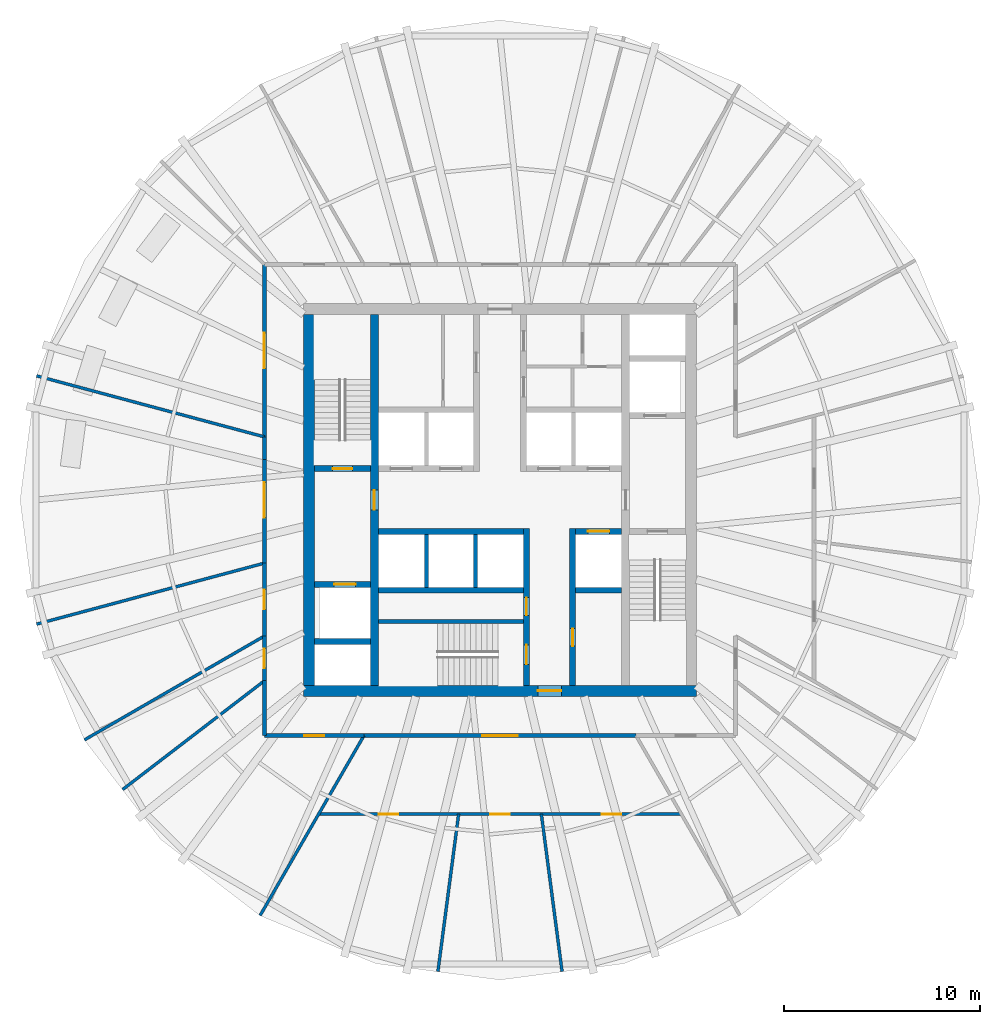
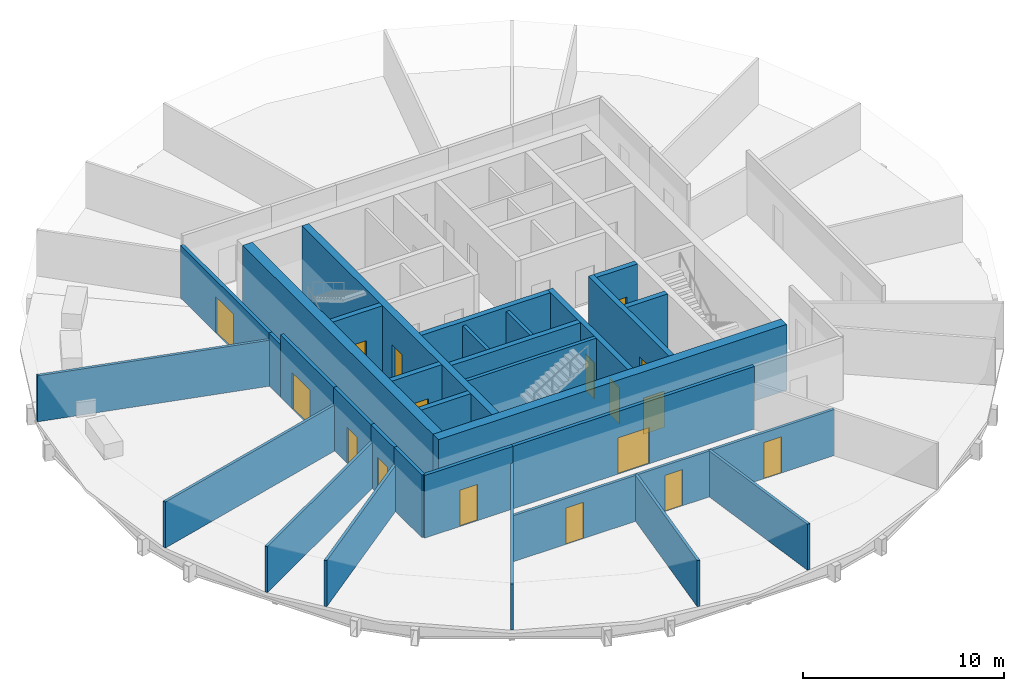
# One storey, part 3 of 7: 31 walls, 17 doors, 17 openings.
"""IFC4 building model written with IfcOpenShell, lengths in metres."""

import ifcopenshell
import ifcopenshell.guid

model = None  # the IFC model being written
_history = None  # IfcOwnerHistory: only IFC2X3 demands one
_inside = {}  # id of a spatial element -> (the spatial element, [elements in it])
_under = {}  # id of a project, library or spatial element -> (it, [spatial elements below it])
_declared = {}  # id of a project -> (the project, [libraries it declares])
_typed = {}  # id of a type object -> (the type object, [elements of that type])
_made_of = {}  # id of a material, layer set ... -> (it, [elements and type objects made of it])


def new_model(schema):
    """Start an empty IFC model of exactly this schema.

    Asked for "IFC4X3", IfcOpenShell would pick the latest addendum, in which some entities
    have other attributes; the version numbers below select the first issue.
    IFC2X3 requires an IfcOwnerHistory on every rooted entity: one is made here for all.
    """
    global model, _history
    if schema == "IFC4X3":
        model = ifcopenshell.file(schema_version=(4, 3, 0, 0))
    else:
        model = ifcopenshell.file(schema=schema)
    _inside.clear()
    _under.clear()
    _declared.clear()
    _typed.clear()
    _made_of.clear()
    _history = None
    if model.schema == "IFC2X3":
        org = make("IfcOrganization", Name="unknown")
        user = make(
            "IfcPersonAndOrganization",
            ThePerson=make("IfcPerson", FamilyName="unknown"),
            TheOrganization=org,
        )
        app = make(
            "IfcApplication",
            ApplicationDeveloper=org,
            Version="unknown",
            ApplicationFullName="unknown",
            ApplicationIdentifier="unknown",
        )
        _history = make(
            "IfcOwnerHistory",
            OwningUser=user,
            OwningApplication=app,
            ChangeAction="ADDED",
            CreationDate=0,
        )
    return model


def make(cls, **values):
    """One entity of the class cls with the attributes given. An attribute that is None is left unset."""
    return model.create_entity(
        cls, **{name: value for name, value in values.items() if value is not None}
    )


def rooted(cls, **values):
    """An entity with a GlobalId (a new one), such as an element, a storey or a relation."""
    return make(cls, GlobalId=ifcopenshell.guid.new(), OwnerHistory=_history, **values)


def si_unit(unit_type, name, prefix=None):
    """IfcSIUnit, for example si_unit("LENGTHUNIT", "METRE", prefix="MILLI")."""
    return make("IfcSIUnit", UnitType=unit_type, Prefix=prefix, Name=name)


def assignment(units):
    """IfcUnitAssignment: the units of a project."""
    return None if units is None else make("IfcUnitAssignment", Units=units)


def point(xyz):
    """IfcCartesianPoint."""
    return None if xyz is None else make("IfcCartesianPoint", Coordinates=xyz)


def direction(xyz):
    """IfcDirection."""
    return None if xyz is None else make("IfcDirection", DirectionRatios=xyz)


def frame(location, z_axis=None, x_axis=None):
    """IfcAxis2Placement3D, a coordinate frame: its origin and axes. An axis left out is left unset."""
    return make(
        "IfcAxis2Placement3D",
        Location=point(location),
        Axis=direction(z_axis),
        RefDirection=direction(x_axis),
    )


def frame_2d(location, x_axis=None):
    """IfcAxis2Placement2D, a coordinate frame in the plane: its origin and x axis."""
    return make(
        "IfcAxis2Placement2D", Location=point(location), RefDirection=direction(x_axis)
    )


def origin():
    """The frame at (0, 0, 0) with its axes left unset."""
    return frame((0.0, 0.0, 0.0))


def place(relative_to, where):
    """IfcLocalPlacement: puts the frame where relative to a parent placement (None: the world)."""
    return make(
        "IfcLocalPlacement", PlacementRelTo=relative_to, RelativePlacement=where
    )


def context(
    kind, dimensions, precision=None, world=None, true_north=None, identifier=None
):
    """IfcGeometricRepresentationContext, for example the 3D "Model" context."""
    return make(
        "IfcGeometricRepresentationContext",
        ContextIdentifier=identifier,
        ContextType=kind,
        CoordinateSpaceDimension=dimensions,
        Precision=precision,
        WorldCoordinateSystem=world,
        TrueNorth=true_north,
    )


def subcontext(parent, identifier, kind, view, scale=None):
    """IfcGeometricRepresentationSubContext, for example "Body" below "Model"."""
    return make(
        "IfcGeometricRepresentationSubContext",
        ContextIdentifier=identifier,
        ContextType=kind,
        ParentContext=parent,
        TargetScale=scale,
        TargetView=view,
    )


def project(units=None, contexts=None):
    """IfcProject with its units and contexts."""
    return rooted(
        "IfcProject",
        Name="project",
        RepresentationContexts=contexts,
        UnitsInContext=assignment(units),
    )


def spatial(cls, under=None, at=None, **own):
    """A site, building, storey or space (cls), placed at a placement, below another one or the project."""
    s = rooted(cls, ObjectPlacement=at, **own)
    if under is not None:
        _under.setdefault(under.id(), (under, []))[1].append(s)
    return s


def profile(cls, at=None, kind="AREA", **sizes):
    """A parametric profile (cls). Its sizes go by their IFC names, for example OverallWidth=200.0."""
    return make(cls, ProfileType=kind, Position=at, **sizes)


def rectangle(**sizes):
    """IfcRectangleProfileDef."""
    return profile("IfcRectangleProfileDef", **sizes)


def extrude(swept, where, along, depth):
    """IfcExtrudedAreaSolid: the profile swept, set in the frame where, extruded along a direction by depth."""
    return make(
        "IfcExtrudedAreaSolid",
        SweptArea=swept,
        Position=where,
        ExtrudedDirection=direction(along),
        Depth=depth,
    )


def shape(context_of_items, identifier, shape_type, items):
    """IfcShapeRepresentation: the items that make up one representation, for example the "Body"."""
    return make(
        "IfcShapeRepresentation",
        ContextOfItems=context_of_items,
        RepresentationIdentifier=identifier,
        RepresentationType=shape_type,
        Items=items,
    )


def material(Name=None, Category=None):
    """IfcMaterial."""
    return make("IfcMaterial", Name=Name, Category=Category)


def layer(
    of_material, thickness, ventilated=None, Name=None, Category=None, Priority=None
):
    """IfcMaterialLayer: one layer of a wall or slab, of a material (None: an air gap)."""
    return make(
        "IfcMaterialLayer",
        Material=of_material,
        LayerThickness=thickness,
        IsVentilated=ventilated,
        Name=Name,
        Category=Category,
        Priority=Priority,
    )


def layer_set(layers, Name=None):
    """IfcMaterialLayerSet."""
    return make("IfcMaterialLayerSet", MaterialLayers=layers, LayerSetName=Name)


def made_of(thing, what):
    """Note that an element or type object is made of a material, layer set ...; save() writes the relation."""
    if what is not None:
        _made_of.setdefault(what.id(), (what, []))[1].append(thing)
    return thing


def type_object(cls, material=None, **own):
    """A type object (cls), such as IfcWallType, which elements share."""
    return made_of(rooted(cls, **own), material)


def element(
    cls,
    number,
    at=None,
    inside=None,
    cuts=None,
    type_object=None,
    material=None,
    context=None,
    identifier="Body",
    shape_type=None,
    held_by="IfcProductDefinitionShape",
    body=None,
    shapes=None,
    **own,
):
    """One element of the class cls, such as IfcWall. Its Tag is "e" and its number.

    at: its placement. inside: the storey or other place that contains it. cuts: it is an
    opening in that element (IfcRelVoidsElement). A single representation is given by context,
    identifier, shape_type and body (its items); several are given by shapes. held_by: the class
    of the entity that holds the representations. save() writes the other relations.
    """
    e = rooted(cls, Tag="e%d" % number, ObjectPlacement=at, **own)
    if body is not None:
        shapes = [shape(context, identifier, shape_type, body)]
    if shapes is not None:
        e.Representation = make(held_by, Representations=shapes)
    if inside is not None:
        _inside.setdefault(inside.id(), (inside, []))[1].append(e)
    if cuts is not None:
        rooted(
            "IfcRelVoidsElement", RelatingBuildingElement=cuts, RelatedOpeningElement=e
        )
    if type_object is not None:
        _typed.setdefault(type_object.id(), (type_object, []))[1].append(e)
    return made_of(e, material)


def fill(opening, filler):
    """IfcRelFillsElement: the door or window that sits in an opening."""
    return rooted(
        "IfcRelFillsElement",
        RelatingOpeningElement=opening,
        RelatedBuildingElement=filler,
    )


def aggregate(whole, parts):
    """IfcRelAggregates: a whole, such as a stair, and the parts it consists of."""
    return rooted("IfcRelAggregates", RelatingObject=whole, RelatedObjects=parts)


def save(model, path):
    """Write the relations noted so far, then the file.

    IfcRelAggregates (storeys below a building ...), IfcRelContainedInSpatialStructure (elements
    in a storey), IfcRelDefinesByType, IfcRelAssociatesMaterial and IfcRelDeclares: one each for
    every whole, place, type object, material and project.
    """
    for whole, parts in _under.values():
        aggregate(whole, parts)
    for where, things in _inside.values():
        rooted(
            "IfcRelContainedInSpatialStructure",
            RelatedElements=things,
            RelatingStructure=where,
        )
    for kind, things in _typed.values():
        rooted("IfcRelDefinesByType", RelatedObjects=things, RelatingType=kind)
    for what, things in _made_of.values():
        rooted("IfcRelAssociatesMaterial", RelatedObjects=things, RelatingMaterial=what)
    for by, libraries in _declared.values():
        rooted("IfcRelDeclares", RelatingContext=by, RelatedDefinitions=libraries)
    model.write(path)


model = new_model("IFC4")

# Units and contexts
model_context = context("Model", 3, precision=1e-05, world=origin(), true_north=direction((0.0, 1.0)))
body_context = subcontext(model_context, "Body", "Model", "MODEL_VIEW")
ifc_project = project(units=[si_unit("LENGTHUNIT", "METRE"), si_unit("AREAUNIT", "SQUARE_METRE"), si_unit("VOLUMEUNIT", "CUBIC_METRE"), si_unit("PLANEANGLEUNIT", "RADIAN"), si_unit("MASSUNIT", "GRAM", prefix="KILO")], contexts=[model_context])

# Site, building, storey
site_placement = place(None, origin())
site = spatial("IfcSite", under=ifc_project, at=site_placement, CompositionType="ELEMENT")
building_placement = place(site_placement, origin())
building = spatial("IfcBuilding", under=site, at=building_placement, Name="Golbaran Civic Tower", CompositionType="ELEMENT")
storey_placement = place(building_placement, frame((0.0, 0.0, 130.0)))
storey = spatial("IfcBuildingStorey", under=building, at=storey_placement, Name="L31", CompositionType="ELEMENT", Elevation=130.0)

# Wall, opening, door
ifc_material_1 = material(Name="Concrete C50/60", Category="concrete")
ifc_layer_1 = layer(ifc_material_1, 0.39990234375, Name="Concrete C50/60")
ifc_layer_set_1 = layer_set([ifc_layer_1], Name="Concrete C50/60")
wall_type_1 = type_object("IfcWallType", Name="CORE WALL CONCRETE 400", PredefinedType="SOLIDWALL", material=ifc_layer_set_1)
wall_1_placement = place(storey_placement, frame((-6.39990234375, -9.449951171875, 0.0), z_axis=(0.0, 0.0, 1.0), x_axis=(0.0, 1.0, 0.0)))
wall_1 = element("IfcWall", 1, at=wall_1_placement, inside=storey, type_object=wall_type_1, Name="Core wall IW L31", PredefinedType="SOLIDWALL", context=body_context, shape_type="SweptSolid", body=[
    extrude(rectangle(XDim=18.89990234375, YDim=0.39990234375, at=frame_2d((9.449951171875, 0.0))), origin(), (0.0, 0.0, 1.0), 4.0),
])
opening_1_placement = place(wall_1_placement, frame((8.949951171875, 0.0, 0.0)))
opening_1 = element("IfcOpeningElement", 2, at=opening_1_placement, cuts=wall_1, Name="Opening L31.FL1", PredefinedType="OPENING", context=body_context, shape_type="SweptSolid", body=[
    extrude(rectangle(XDim=1.0, YDim=2.199951171875, at=frame_2d((0.5, 1.10009765625))), frame((0.0, 0.2099609375, 0.0), z_axis=(0.0, -1.0, 0.0), x_axis=(1.0, 0.0, 0.0)), (0.0, 0.0, 1.0), 0.419921875),
])
ifc_material_2 = material(Name="Timber door set in steel frame", Category="steel")
door_type_1 = type_object("IfcDoorType", Name="STAIR DOOR 1000x2200", OperationType="SINGLE_SWING_LEFT", PredefinedType="DOOR", material=ifc_material_2)
door_1_placement = place(opening_1_placement, origin())
door_1 = element("IfcDoor", 3, at=door_1_placement, inside=storey, type_object=door_type_1, Name="Fire-fighting lobby FL1 door", OperationType="SINGLE_SWING_LEFT", OverallHeight=2.199951171875, OverallWidth=1.0, PredefinedType="DOOR", context=body_context, shape_type="SweptSolid", body=[
    extrude(rectangle(XDim=1.0, YDim=2.199951171875, at=frame_2d((0.5, 1.10009765625))), frame((0.0, 0.02490234375, 0.0), z_axis=(0.0, -1.0, 0.0), x_axis=(1.0, 0.0, 0.0)), (0.0, 0.0, 1.0), 0.050048828125),
])
fill(opening_1, door_1)

ifc_layer_2 = layer(ifc_material_1, 0.550048828125, Name="Concrete C50/60")
ifc_layer_set_2 = layer_set([ifc_layer_2], Name="Concrete C50/60")
wall_type_2 = type_object("IfcWallType", Name="CORE WALL CONCRETE 550", PredefinedType="SOLIDWALL", material=ifc_layer_set_2)
wall_2_placement = place(storey_placement, frame((10.0, -9.72509765625, 0.0), z_axis=(0.0, 0.0, 1.0), x_axis=(-1.0, 0.0, 0.0)))
wall_2 = element("IfcWall", 4, at=wall_2_placement, inside=storey, type_object=wall_type_2, Name="Core wall CS L31", PredefinedType="SOLIDWALL", context=body_context, shape_type="SweptSolid", body=[
    extrude(rectangle(XDim=20.0, YDim=0.550048828125, at=frame_2d((10.0, 0.0))), origin(), (0.0, 0.0, 1.0), 4.0),
])
opening_2_placement = place(wall_2_placement, frame((6.875, 0.0, 0.0)))
opening_2 = element("IfcOpeningElement", 5, at=opening_2_placement, cuts=wall_2, Name="Opening L31.CS", PredefinedType="OPENING", context=body_context, shape_type="SweptSolid", body=[
    extrude(rectangle(XDim=1.199951171875, YDim=2.199951171875, at=frame_2d((0.60009765625, 1.10009765625))), frame((0.0, 0.284912109375, 0.0), z_axis=(0.0, -1.0, 0.0), x_axis=(1.0, 0.0, 0.0)), (0.0, 0.0, 1.0), 0.570068359375),
])
door_type_2 = type_object("IfcDoorType", Name="CORE DOOR 1200x2200", OperationType="DOUBLE_DOOR_SINGLE_SWING", PredefinedType="DOOR", material=ifc_material_2)
door_2_placement = place(opening_2_placement, origin())
door_2 = element("IfcDoor", 6, at=door_2_placement, inside=storey, type_object=door_type_2, Name="Core door south", OperationType="DOUBLE_DOOR_SINGLE_SWING", OverallHeight=2.199951171875, OverallWidth=1.199951171875, PredefinedType="DOOR", context=body_context, shape_type="SweptSolid", body=[
    extrude(rectangle(XDim=1.199951171875, YDim=2.199951171875, at=frame_2d((0.60009765625, 1.10009765625))), frame((0.0, 0.02490234375, 0.0), z_axis=(0.0, -1.0, 0.0), x_axis=(1.0, 0.0, 0.0)), (0.0, 0.0, 1.0), 0.050048828125),
])
fill(opening_2, door_2)

# Wall
wall_3_placement = place(storey_placement, frame((-9.72509765625, 9.449951171875, 0.0), z_axis=(0.0, 0.0, 1.0), x_axis=(0.0, -1.0, 0.0)))
element("IfcWall", 7, at=wall_3_placement, inside=storey, type_object=wall_type_2, Name="Core wall CW L31", PredefinedType="SOLIDWALL", context=body_context, shape_type="SweptSolid", body=[
    extrude(rectangle(XDim=18.89990234375, YDim=0.550048828125, at=frame_2d((9.449951171875, 0.0))), origin(), (0.0, 0.0, 1.0), 4.0),
])

# Wall, opening, door
ifc_material_3 = material(Name="Gypsum board on steel studs, fire-rated", Category="steel")
ifc_layer_3 = layer(ifc_material_3, 0.199951171875, Name="Gypsum board on steel studs, fire-rated")
ifc_layer_set_3 = layer_set([ifc_layer_3], Name="Gypsum board on steel studs, fire-rated")
wall_type_3 = type_object("IfcWallType", Name="CORRIDOR WALL 200", PredefinedType="PARTITIONING", material=ifc_layer_set_3)
wall_4_placement = place(storey_placement, frame((-12.0, 12.0, 0.0), z_axis=(0.0, 0.0, 1.0), x_axis=(0.0, -1.0, 0.0)))
wall_4 = element("IfcWall", 8, at=wall_4_placement, inside=storey, type_object=wall_type_3, Name="Corridor wall L31", PredefinedType="PARTITIONING", context=body_context, shape_type="SweptSolid", body=[
    extrude(rectangle(XDim=8.78466796875, YDim=0.199951171875, at=frame_2d((4.392333984375, 0.0))), origin(), (0.0, 0.0, 1.0), 3.199951171875),
])
opening_3_placement = place(wall_4_placement, frame((3.4921875, 0.0, 0.0)))
opening_3 = element("IfcOpeningElement", 9, at=opening_3_placement, cuts=wall_4, Name="Opening L31.14", PredefinedType="OPENING", context=body_context, shape_type="SweptSolid", body=[
    extrude(rectangle(XDim=1.800048828125, YDim=2.199951171875, at=frame_2d((0.89990234375, 1.10009765625))), frame((0.0, 0.10986328125, 0.0), z_axis=(0.0, -1.0, 0.0), x_axis=(1.0, 0.0, 0.0)), (0.0, 0.0, 1.0), 0.219970703125),
])
door_type_3 = type_object("IfcDoorType", Name="OFFICE DOUBLE DOOR 1800x2200", OperationType="DOUBLE_DOOR_SINGLE_SWING", PredefinedType="DOOR", material=ifc_material_2)
door_3_placement = place(opening_3_placement, origin())
door_3 = element("IfcDoor", 10, at=door_3_placement, inside=storey, type_object=door_type_3, Name="Sky Garden door L31", OperationType="DOUBLE_DOOR_SINGLE_SWING", OverallHeight=2.199951171875, OverallWidth=1.800048828125, PredefinedType="DOOR", context=body_context, shape_type="SweptSolid", body=[
    extrude(rectangle(XDim=1.800048828125, YDim=2.199951171875, at=frame_2d((0.89990234375, 1.10009765625))), frame((0.0, 0.02490234375, 0.0), z_axis=(0.0, -1.0, 0.0), x_axis=(1.0, 0.0, 0.0)), (0.0, 0.0, 1.0), 0.050048828125),
])
fill(opening_3, door_3)

# Wall
wall_5_placement = place(storey_placement, frame((-12.0, 3.21533203125, 0.0), z_axis=(0.0, 0.0, 1.0), x_axis=(0.0, -1.0, 0.0)))
element("IfcWall", 11, at=wall_5_placement, inside=storey, type_object=wall_type_3, Name="Corridor wall L31", PredefinedType="PARTITIONING", context=body_context, shape_type="SweptSolid", body=[
    extrude(rectangle(XDim=1.145751953125, YDim=0.199951171875, at=frame_2d((0.57275390625, 0.0))), origin(), (0.0, 0.0, 1.0), 3.199951171875),
])

# Wall, opening, door
wall_6_placement = place(storey_placement, frame((-12.0, 2.069580078125, 0.0), z_axis=(0.0, 0.0, 1.0), x_axis=(0.0, -1.0, 0.0)))
wall_6 = element("IfcWall", 12, at=wall_6_placement, inside=storey, type_object=wall_type_3, Name="Corridor wall L31 (part 2)", PredefinedType="PARTITIONING", context=body_context, shape_type="SweptSolid", body=[
    extrude(rectangle(XDim=5.284912109375, YDim=0.199951171875, at=frame_2d((2.642578125, 0.0))), origin(), (0.0, 0.0, 1.0), 3.800048828125),
])
opening_4_placement = place(wall_6_placement, frame((1.169677734375, 0.0, 0.0)))
opening_4 = element("IfcOpeningElement", 13, at=opening_4_placement, cuts=wall_6, Name="Opening L31.15", PredefinedType="OPENING", context=body_context, shape_type="SweptSolid", body=[
    extrude(rectangle(XDim=1.800048828125, YDim=2.199951171875, at=frame_2d((0.89990234375, 1.10009765625))), frame((0.0, 0.10986328125, 0.0), z_axis=(0.0, -1.0, 0.0), x_axis=(1.0, 0.0, 0.0)), (0.0, 0.0, 1.0), 0.219970703125),
])
door_4_placement = place(opening_4_placement, origin())
door_4 = element("IfcDoor", 14, at=door_4_placement, inside=storey, type_object=door_type_3, Name="Open Office door L31", OperationType="DOUBLE_DOOR_SINGLE_SWING", OverallHeight=2.199951171875, OverallWidth=1.800048828125, PredefinedType="DOOR", context=body_context, shape_type="SweptSolid", body=[
    extrude(rectangle(XDim=1.800048828125, YDim=2.199951171875, at=frame_2d((0.89990234375, 1.10009765625))), frame((0.0, 0.02490234375, 0.0), z_axis=(0.0, -1.0, 0.0), x_axis=(1.0, 0.0, 0.0)), (0.0, 0.0, 1.0), 0.050048828125),
])
fill(opening_4, door_4)

wall_7_placement = place(storey_placement, frame((-12.0, -3.21533203125, 0.0), z_axis=(0.0, 0.0, 1.0), x_axis=(0.0, -1.0, 0.0)))
wall_7 = element("IfcWall", 15, at=wall_7_placement, inside=storey, type_object=wall_type_3, Name="Corridor wall L31", PredefinedType="PARTITIONING", context=body_context, shape_type="SweptSolid", body=[
    extrude(rectangle(XDim=3.712890625, YDim=0.199951171875, at=frame_2d((1.8564453125, 0.0))), origin(), (0.0, 0.0, 1.0), 3.800048828125),
])
opening_5_placement = place(wall_7_placement, frame((1.3564453125, 0.0, 0.0)))
opening_5 = element("IfcOpeningElement", 16, at=opening_5_placement, cuts=wall_7, Name="Opening L31.16", PredefinedType="OPENING", context=body_context, shape_type="SweptSolid", body=[
    extrude(rectangle(XDim=1.0, YDim=2.199951171875, at=frame_2d((0.5, 1.10009765625))), frame((0.0, 0.10986328125, 0.0), z_axis=(0.0, -1.0, 0.0), x_axis=(1.0, 0.0, 0.0)), (0.0, 0.0, 1.0), 0.219970703125),
])
door_type_4 = type_object("IfcDoorType", Name="OFFICE DOOR 1000x2200", OperationType="SINGLE_SWING_LEFT", PredefinedType="DOOR", material=ifc_material_2)
door_5_placement = place(opening_5_placement, origin())
door_5 = element("IfcDoor", 17, at=door_5_placement, inside=storey, type_object=door_type_4, Name="Office door L31", OperationType="SINGLE_SWING_RIGHT", OverallHeight=2.199951171875, OverallWidth=1.0, PredefinedType="DOOR", context=body_context, shape_type="SweptSolid", body=[
    extrude(rectangle(XDim=1.0, YDim=2.199951171875, at=frame_2d((0.5, 1.10009765625))), frame((0.0, 0.02490234375, 0.0), z_axis=(0.0, -1.0, 0.0), x_axis=(1.0, 0.0, 0.0)), (0.0, 0.0, 1.0), 0.050048828125),
])
fill(opening_5, door_5)

wall_8_placement = place(storey_placement, frame((-12.0, -6.92822265625, 0.0), z_axis=(0.0, 0.0, 1.0), x_axis=(0.0, -1.0, 0.0)))
wall_8 = element("IfcWall", 18, at=wall_8_placement, inside=storey, type_object=wall_type_3, Name="Corridor wall L31", PredefinedType="PARTITIONING", context=body_context, shape_type="SweptSolid", body=[
    extrude(rectangle(XDim=2.27978515625, YDim=0.199951171875, at=frame_2d((1.139892578125, 0.0))), origin(), (0.0, 0.0, 1.0), 3.800048828125),
])
opening_6_placement = place(wall_8_placement, frame((0.639892578125, 0.0, 0.0)))
opening_6 = element("IfcOpeningElement", 19, at=opening_6_placement, cuts=wall_8, Name="Opening L31.17", PredefinedType="OPENING", context=body_context, shape_type="SweptSolid", body=[
    extrude(rectangle(XDim=1.0, YDim=2.199951171875, at=frame_2d((0.5, 1.10009765625))), frame((0.0, 0.10986328125, 0.0), z_axis=(0.0, -1.0, 0.0), x_axis=(1.0, 0.0, 0.0)), (0.0, 0.0, 1.0), 0.219970703125),
])
door_6_placement = place(opening_6_placement, origin())
door_6 = element("IfcDoor", 20, at=door_6_placement, inside=storey, type_object=door_type_4, Name="Quiet Room door L31", OperationType="SINGLE_SWING_RIGHT", OverallHeight=2.199951171875, OverallWidth=1.0, PredefinedType="DOOR", context=body_context, shape_type="SweptSolid", body=[
    extrude(rectangle(XDim=1.0, YDim=2.199951171875, at=frame_2d((0.5, 1.10009765625))), frame((0.0, 0.02490234375, 0.0), z_axis=(0.0, -1.0, 0.0), x_axis=(1.0, 0.0, 0.0)), (0.0, 0.0, 1.0), 0.050048828125),
])
fill(opening_6, door_6)

# Wall
wall_9_placement = place(storey_placement, frame((-12.0, -9.2080078125, 0.0), z_axis=(0.0, 0.0, 1.0), x_axis=(0.0, -1.0, 0.0)))
element("IfcWall", 21, at=wall_9_placement, inside=storey, type_object=wall_type_3, Name="Corridor wall L31", PredefinedType="PARTITIONING", context=body_context, shape_type="SweptSolid", body=[
    extrude(rectangle(XDim=2.7919921875, YDim=0.199951171875, at=frame_2d((1.39599609375, 0.0))), origin(), (0.0, 0.0, 1.0), 3.800048828125),
])

# Wall, opening, door
wall_10_placement = place(storey_placement, frame((-12.0, -12.0, 0.0), z_axis=(0.0, 0.0, 1.0), x_axis=(1.0, 0.0, 0.0)))
wall_10 = element("IfcWall", 22, at=wall_10_placement, inside=storey, type_object=wall_type_3, Name="Corridor wall L31", PredefinedType="PARTITIONING", context=body_context, shape_type="SweptSolid", body=[
    extrude(rectangle(XDim=5.07177734375, YDim=0.199951171875, at=frame_2d((2.535888671875, 0.0))), origin(), (0.0, 0.0, 1.0), 3.800048828125),
])
opening_7_placement = place(wall_10_placement, frame((2.035888671875, 0.0, 0.0)))
opening_7 = element("IfcOpeningElement", 23, at=opening_7_placement, cuts=wall_10, Name="Opening L31.18", PredefinedType="OPENING", context=body_context, shape_type="SweptSolid", body=[
    extrude(rectangle(XDim=1.0, YDim=2.199951171875, at=frame_2d((0.5, 1.10009765625))), frame((0.0, 0.10986328125, 0.0), z_axis=(0.0, -1.0, 0.0), x_axis=(1.0, 0.0, 0.0)), (0.0, 0.0, 1.0), 0.219970703125),
])
door_7_placement = place(opening_7_placement, origin())
door_7 = element("IfcDoor", 24, at=door_7_placement, inside=storey, type_object=door_type_4, Name="File Room door L31", OperationType="SINGLE_SWING_LEFT", OverallHeight=2.199951171875, OverallWidth=1.0, PredefinedType="DOOR", context=body_context, shape_type="SweptSolid", body=[
    extrude(rectangle(XDim=1.0, YDim=2.199951171875, at=frame_2d((0.5, 1.10009765625))), frame((0.0, 0.02490234375, 0.0), z_axis=(0.0, -1.0, 0.0), x_axis=(1.0, 0.0, 0.0)), (0.0, 0.0, 1.0), 0.050048828125),
])
fill(opening_7, door_7)

wall_11_placement = place(storey_placement, frame((-6.92822265625, -12.0, 0.0), z_axis=(0.0, 0.0, 1.0), x_axis=(1.0, 0.0, 0.0)))
wall_11 = element("IfcWall", 25, at=wall_11_placement, inside=storey, type_object=wall_type_3, Name="Corridor wall L31", PredefinedType="PARTITIONING", context=body_context, shape_type="SweptSolid", body=[
    extrude(rectangle(XDim=13.8564453125, YDim=0.199951171875, at=frame_2d((6.92822265625, 0.0))), origin(), (0.0, 0.0, 1.0), 3.800048828125),
])
opening_8_placement = place(wall_11_placement, frame((6.0283203125, 0.0, 0.0)))
opening_8 = element("IfcOpeningElement", 26, at=opening_8_placement, cuts=wall_11, Name="Opening L31.19", PredefinedType="OPENING", context=body_context, shape_type="SweptSolid", body=[
    extrude(rectangle(XDim=1.800048828125, YDim=2.199951171875, at=frame_2d((0.89990234375, 1.10009765625))), frame((0.0, 0.10986328125, 0.0), z_axis=(0.0, -1.0, 0.0), x_axis=(1.0, 0.0, 0.0)), (0.0, 0.0, 1.0), 0.219970703125),
])
door_8_placement = place(opening_8_placement, origin())
door_8 = element("IfcDoor", 27, at=door_8_placement, inside=storey, type_object=door_type_3, Name="Secretariat door L31", OperationType="DOUBLE_DOOR_SINGLE_SWING", OverallHeight=2.199951171875, OverallWidth=1.800048828125, PredefinedType="DOOR", context=body_context, shape_type="SweptSolid", body=[
    extrude(rectangle(XDim=1.800048828125, YDim=2.199951171875, at=frame_2d((0.89990234375, 1.10009765625))), frame((0.0, 0.02490234375, 0.0), z_axis=(0.0, -1.0, 0.0), x_axis=(1.0, 0.0, 0.0)), (0.0, 0.0, 1.0), 0.050048828125),
])
fill(opening_8, door_8)

# Walls
ifc_material_4 = material(Name="Concrete block", Category="concrete")
ifc_layer_4 = layer(ifc_material_4, 0.199951171875, Name="Concrete block")
ifc_layer_set_4 = layer_set([ifc_layer_4], Name="Concrete block")
wall_type_4 = type_object("IfcWallType", Name="LIFT SEPARATOR WALL 200", PredefinedType="SOLIDWALL", material=ifc_layer_set_4)
for number, where, z_axis, x_axis, name in (
    (28, (-3.75, -1.75, 0.0), (0.0, 0.0, 1.0), (0.0, -1.0, 0.0), "Core partition SSW L31"),
    (29, (-1.25, -1.75, 0.0), (0.0, 0.0, 1.0), (0.0, -1.0, 0.0), "Core partition SSM L31"),
):
    element("IfcWall", number, at=place(storey_placement, frame(where, z_axis=z_axis, x_axis=x_axis)), inside=storey, type_object=wall_type_4, Name=name, PredefinedType="SOLIDWALL", context=body_context, shape_type="SweptSolid", body=[
        extrude(rectangle(XDim=2.699951171875, YDim=0.199951171875, at=frame_2d((1.35009765625, 0.0))), origin(), (0.0, 0.0, 1.0), 3.75),
    ])
ifc_material_5 = material(Name="Gypsum board on steel studs", Category="steel")
ifc_layer_5 = layer(ifc_material_5, 0.14990234375, Name="Gypsum board on steel studs")
ifc_layer_set_5 = layer_set([ifc_layer_5], Name="Gypsum board on steel studs")
wall_type_5 = type_object("IfcWallType", Name="OFFICE PARTITION 150", PredefinedType="PARTITIONING", material=ifc_layer_set_5)
for number, where, z_axis, x_axis, name in (
    (30, (-12.0, 3.21533203125, 0.0), (0.0, 0.0, 1.0), (-0.965923753467, 0.258826780857, 0.0), "Partition 165 L31"),
    (31, (-12.0, -3.21533203125, 0.0), (0.0, 0.0, 1.0), (-0.965923753467, -0.258826780857, 0.0), "Partition 195 L31"),
):
    element("IfcWall", number, at=place(storey_placement, frame(where, z_axis=z_axis, x_axis=x_axis)), inside=storey, type_object=wall_type_5, Name=name, PredefinedType="PARTITIONING", context=body_context, shape_type="SweptSolid", body=[
        extrude(rectangle(XDim=12.02001953125, YDim=0.14990234375, at=frame_2d((6.010009765625, 0.0))), origin(), (0.0, 0.0, 1.0), 2.7900390625),
    ])
wall_12_placement = place(storey_placement, frame((-12.0, -6.92822265625, 0.0), z_axis=(0.0, 0.0, 1.0), x_axis=(-0.866023526577, -0.500003251404, 0.0)))
element("IfcWall", 32, at=wall_12_placement, inside=storey, type_object=wall_type_5, Name="Partition 210 L31", PredefinedType="PARTITIONING", context=body_context, shape_type="SweptSolid", body=[
    extrude(rectangle(XDim=10.5869140625, YDim=0.14990234375, at=frame_2d((5.29345703125, 0.0))), origin(), (0.0, 0.0, 1.0), 2.7900390625),
])
wall_13_placement = place(storey_placement, frame((-12.0, -9.2080078125, 0.0), z_axis=(0.0, 0.0, 1.0), x_axis=(-0.793367728965, -0.608742676865, 0.0)))
element("IfcWall", 33, at=wall_13_placement, inside=storey, type_object=wall_type_5, Name="Partition 217.5 L31", PredefinedType="PARTITIONING", context=body_context, shape_type="SweptSolid", body=[
    extrude(rectangle(XDim=9.1083984375, YDim=0.14990234375, at=frame_2d((4.55419921875, 0.0))), origin(), (0.0, 0.0, 1.0), 2.7900390625),
])
wall_14_placement = place(storey_placement, frame((-6.92822265625, -12.0, 0.0), z_axis=(0.0, 0.0, 1.0), x_axis=(-0.500003251404, -0.866023526577, 0.0)))
element("IfcWall", 34, at=wall_14_placement, inside=storey, type_object=wall_type_5, Name="Partition 240 L31", PredefinedType="PARTITIONING", context=body_context, shape_type="SweptSolid", body=[
    extrude(rectangle(XDim=10.5869140625, YDim=0.14990234375, at=frame_2d((5.29345703125, 0.0))), origin(), (0.0, 0.0, 1.0), 2.7900390625),
])

# Wall, openings, doors
wall_15_placement = place(storey_placement, frame((-9.237548828125, -16.0, 0.0), z_axis=(0.0, 0.0, 1.0), x_axis=(1.0, 0.0, 0.0)))
wall_15 = element("IfcWall", 35, at=wall_15_placement, inside=storey, type_object=wall_type_5, Name="Suite partition L31", PredefinedType="PARTITIONING", context=body_context, shape_type="SweptSolid", body=[
    extrude(rectangle(XDim=18.47509765625, YDim=0.14990234375, at=frame_2d((9.237548828125, 0.0))), origin(), (0.0, 0.0, 1.0), 2.7900390625),
])
opening_9_placement = place(wall_15_placement, frame((3.065673828125, 0.0, 0.0)))
opening_9 = element("IfcOpeningElement", 36, at=opening_9_placement, cuts=wall_15, Name="Opening L31.03", PredefinedType="OPENING", context=body_context, shape_type="SweptSolid", body=[
    extrude(rectangle(XDim=1.0, YDim=2.199951171875, at=frame_2d((0.5, 1.10009765625))), frame((0.0, 0.0849609375, 0.0), z_axis=(0.0, -1.0, 0.0), x_axis=(1.0, 0.0, 0.0)), (0.0, 0.0, 1.0), 0.169921875),
])
opening_10_placement = place(wall_15_placement, frame((8.737548828125, 0.0, 0.0)))
opening_10 = element("IfcOpeningElement", 37, at=opening_10_placement, cuts=wall_15, Name="Opening L31.04", PredefinedType="OPENING", context=body_context, shape_type="SweptSolid", body=[
    extrude(rectangle(XDim=1.0, YDim=2.199951171875, at=frame_2d((0.5, 1.10009765625))), frame((0.0, 0.0849609375, 0.0), z_axis=(0.0, -1.0, 0.0), x_axis=(1.0, 0.0, 0.0)), (0.0, 0.0, 1.0), 0.169921875),
])
opening_11_placement = place(wall_15_placement, frame((14.40966796875, 0.0, 0.0)))
opening_11 = element("IfcOpeningElement", 38, at=opening_11_placement, cuts=wall_15, Name="Opening L31.05", PredefinedType="OPENING", context=body_context, shape_type="SweptSolid", body=[
    extrude(rectangle(XDim=1.0, YDim=2.199951171875, at=frame_2d((0.5, 1.10009765625))), frame((0.0, 0.0849609375, 0.0), z_axis=(0.0, -1.0, 0.0), x_axis=(1.0, 0.0, 0.0)), (0.0, 0.0, 1.0), 0.169921875),
])
door_9_placement = place(opening_9_placement, origin())
door_9 = element("IfcDoor", 39, at=door_9_placement, inside=storey, type_object=door_type_4, Name="Office door L31", OperationType="SINGLE_SWING_LEFT", OverallHeight=2.199951171875, OverallWidth=1.0, PredefinedType="DOOR", context=body_context, shape_type="SweptSolid", body=[
    extrude(rectangle(XDim=1.0, YDim=2.199951171875, at=frame_2d((0.5, 1.10009765625))), frame((0.0, 0.02490234375, 0.0), z_axis=(0.0, -1.0, 0.0), x_axis=(1.0, 0.0, 0.0)), (0.0, 0.0, 1.0), 0.050048828125),
])
fill(opening_9, door_9)
door_10_placement = place(opening_10_placement, origin())
door_10 = element("IfcDoor", 40, at=door_10_placement, inside=storey, type_object=door_type_4, Name="Director's Office door L31", OperationType="SINGLE_SWING_LEFT", OverallHeight=2.199951171875, OverallWidth=1.0, PredefinedType="DOOR", context=body_context, shape_type="SweptSolid", body=[
    extrude(rectangle(XDim=1.0, YDim=2.199951171875, at=frame_2d((0.5, 1.10009765625))), frame((0.0, 0.02490234375, 0.0), z_axis=(0.0, -1.0, 0.0), x_axis=(1.0, 0.0, 0.0)), (0.0, 0.0, 1.0), 0.050048828125),
])
fill(opening_10, door_10)
door_11_placement = place(opening_11_placement, origin())
door_11 = element("IfcDoor", 41, at=door_11_placement, inside=storey, type_object=door_type_4, Name="Office door L31", OperationType="SINGLE_SWING_RIGHT", OverallHeight=2.199951171875, OverallWidth=1.0, PredefinedType="DOOR", context=body_context, shape_type="SweptSolid", body=[
    extrude(rectangle(XDim=1.0, YDim=2.199951171875, at=frame_2d((0.5, 1.10009765625))), frame((0.0, 0.02490234375, 0.0), z_axis=(0.0, -1.0, 0.0), x_axis=(1.0, 0.0, 0.0)), (0.0, 0.0, 1.0), 0.050048828125),
])
fill(opening_11, door_11)

# Walls
for number, where, z_axis, x_axis, name in (
    (42, (-2.1064453125, -16.0, 0.0), (0.0, 0.0, 1.0), (-0.130512236494, -0.99144669858, 0.0), "Partition 262.5 L31"),
    (43, (2.1064453125, -16.0, 0.0), (0.0, 0.0, 1.0), (0.130512236494, -0.99144669858, 0.0), "Partition 277.5 L31"),
):
    element("IfcWall", number, at=place(storey_placement, frame(where, z_axis=z_axis, x_axis=x_axis)), inside=storey, type_object=wall_type_5, Name=name, PredefinedType="PARTITIONING", context=body_context, shape_type="SweptSolid", body=[
        extrude(rectangle(XDim=8.09619140625, YDim=0.14990234375, at=frame_2d((4.048095703125, 0.0))), origin(), (0.0, 0.0, 1.0), 2.7900390625),
    ])
ifc_layer_6 = layer(ifc_material_1, 0.199951171875, Name="Concrete C50/60")
ifc_layer_set_6 = layer_set([ifc_layer_6], Name="Concrete C50/60")
wall_type_6 = type_object("IfcWallType", Name="SHAFT WALL CONCRETE 200", PredefinedType="SOLIDWALL", material=ifc_layer_set_6)
wall_16_placement = place(storey_placement, frame((-6.199951171875, -6.199951171875, 0.0), z_axis=(0.0, 0.0, 1.0), x_axis=(1.0, 0.0, 0.0)))
element("IfcWall", 44, at=wall_16_placement, inside=storey, type_object=wall_type_6, Name="Core wall S3N L31", PredefinedType="SOLIDWALL", context=body_context, shape_type="SweptSolid", body=[
    extrude(rectangle(XDim=7.39990234375, YDim=0.199951171875, at=frame_2d((3.699951171875, 0.0))), origin(), (0.0, 0.0, 1.0), 4.0),
])
ifc_layer_7 = layer(ifc_material_1, 0.300048828125, Name="Concrete C50/60")
ifc_layer_set_7 = layer_set([ifc_layer_7], Name="Concrete C50/60")
wall_type_7 = type_object("IfcWallType", Name="SHAFT WALL CONCRETE 300", PredefinedType="SOLIDWALL", material=ifc_layer_set_7)
wall_17_placement = place(storey_placement, frame((-6.199951171875, -1.60009765625, 0.0), z_axis=(0.0, 0.0, 1.0), x_axis=(1.0, 0.0, 0.0)))
element("IfcWall", 45, at=wall_17_placement, inside=storey, type_object=wall_type_7, Name="Core wall FSW L31", PredefinedType="SOLIDWALL", context=body_context, shape_type="SweptSolid", body=[
    extrude(rectangle(XDim=7.39990234375, YDim=0.300048828125, at=frame_2d((3.699951171875, 0.0))), origin(), (0.0, 0.0, 1.0), 4.0),
])

# Wall, opening, door
wall_18_placement = place(storey_placement, frame((3.85009765625, -1.60009765625, 0.0), z_axis=(0.0, 0.0, 1.0), x_axis=(1.0, 0.0, 0.0)))
wall_18 = element("IfcWall", 46, at=wall_18_placement, inside=storey, type_object=wall_type_7, Name="Core wall FSE L31", PredefinedType="SOLIDWALL", context=body_context, shape_type="SweptSolid", body=[
    extrude(rectangle(XDim=2.349853515625, YDim=0.300048828125, at=frame_2d((1.1748046875, 0.0))), origin(), (0.0, 0.0, 1.0), 4.0),
])
opening_12_placement = place(wall_18_placement, frame((0.625, 0.0, 0.0)))
opening_12 = element("IfcOpeningElement", 47, at=opening_12_placement, cuts=wall_18, Name="Opening L31.LD-V1", PredefinedType="OPENING", context=body_context, shape_type="SweptSolid", body=[
    extrude(rectangle(XDim=1.10009765625, YDim=2.199951171875, at=frame_2d((0.550048828125, 1.10009765625))), frame((0.0, 0.159912109375, 0.0), z_axis=(0.0, -1.0, 0.0), x_axis=(1.0, 0.0, 0.0)), (0.0, 0.0, 1.0), 0.320068359375),
])
ifc_material_6 = material(Name="Stainless steel", Category="steel")
door_type_5 = type_object("IfcDoorType", Name="LIFT LANDING DOOR 1100x2200", OperationType="SLIDING_TO_LEFT", PredefinedType="DOOR", material=ifc_material_6)
door_12_placement = place(opening_12_placement, origin())
door_12 = element("IfcDoor", 48, at=door_12_placement, inside=storey, type_object=door_type_5, Name="Lift landing door V1", OperationType="SLIDING_TO_LEFT", OverallHeight=2.199951171875, OverallWidth=1.10009765625, PredefinedType="DOOR", context=body_context, shape_type="SweptSolid", body=[
    extrude(rectangle(XDim=1.10009765625, YDim=2.199951171875, at=frame_2d((0.550048828125, 1.10009765625))), frame((0.0, 0.02490234375, 0.0), z_axis=(0.0, -1.0, 0.0), x_axis=(1.0, 0.0, 0.0)), (0.0, 0.0, 1.0), 0.050048828125),
])
fill(opening_12, door_12)

# Walls
wall_19_placement = place(storey_placement, frame((-6.199951171875, -4.60009765625, 0.0), z_axis=(0.0, 0.0, 1.0), x_axis=(1.0, 0.0, 0.0)))
element("IfcWall", 49, at=wall_19_placement, inside=storey, type_object=wall_type_7, Name="Core wall BSW L31", PredefinedType="SOLIDWALL", context=body_context, shape_type="SweptSolid", body=[
    extrude(rectangle(XDim=7.39990234375, YDim=0.300048828125, at=frame_2d((3.699951171875, 0.0))), origin(), (0.0, 0.0, 1.0), 4.0),
])
wall_20_placement = place(storey_placement, frame((3.85009765625, -4.60009765625, 0.0), z_axis=(0.0, 0.0, 1.0), x_axis=(1.0, 0.0, 0.0)))
element("IfcWall", 50, at=wall_20_placement, inside=storey, type_object=wall_type_7, Name="Core wall BSE L31", PredefinedType="SOLIDWALL", context=body_context, shape_type="SweptSolid", body=[
    extrude(rectangle(XDim=2.349853515625, YDim=0.300048828125, at=frame_2d((1.1748046875, 0.0))), origin(), (0.0, 0.0, 1.0), 4.0),
])

# Wall, openings, doors
wall_21_placement = place(storey_placement, frame((1.35009765625, -1.449951171875, 0.0), z_axis=(0.0, 0.0, 1.0), x_axis=(0.0, -1.0, 0.0)))
wall_21 = element("IfcWall", 51, at=wall_21_placement, inside=storey, type_object=wall_type_7, Name="Core wall PSW L31", PredefinedType="SOLIDWALL", context=body_context, shape_type="SweptSolid", body=[
    extrude(rectangle(XDim=8.0, YDim=0.300048828125, at=frame_2d((4.0, 0.0))), origin(), (0.0, 0.0, 1.0), 4.0),
])
opening_13_placement = place(wall_21_placement, frame((5.925048828125, 0.0, 0.0)))
opening_13 = element("IfcOpeningElement", 52, at=opening_13_placement, cuts=wall_21, Name="Opening L31.S3", PredefinedType="OPENING", context=body_context, shape_type="SweptSolid", body=[
    extrude(rectangle(XDim=1.0, YDim=2.199951171875, at=frame_2d((0.5, 1.10009765625))), frame((0.0, 0.159912109375, 0.0), z_axis=(0.0, -1.0, 0.0), x_axis=(1.0, 0.0, 0.0)), (0.0, 0.0, 1.0), 0.320068359375),
])
opening_14_placement = place(wall_21_placement, frame((3.52490234375, 0.0, 0.0)))
opening_14 = element("IfcOpeningElement", 53, at=opening_14_placement, cuts=wall_21, Name="Opening L31.RE", PredefinedType="OPENING", context=body_context, shape_type="SweptSolid", body=[
    extrude(rectangle(XDim=0.89990234375, YDim=2.199951171875, at=frame_2d((0.449951171875, 1.10009765625))), frame((0.0, 0.159912109375, 0.0), z_axis=(0.0, -1.0, 0.0), x_axis=(1.0, 0.0, 0.0)), (0.0, 0.0, 1.0), 0.320068359375),
])
door_type_6 = type_object("IfcDoorType", Name="RISER DOOR 900x2200", OperationType="SINGLE_SWING_LEFT", PredefinedType="DOOR", material=ifc_material_2)
door_13_placement = place(opening_14_placement, origin())
door_13 = element("IfcDoor", 54, at=door_13_placement, inside=storey, type_object=door_type_6, Name="Electrical riser door", OperationType="SINGLE_SWING_LEFT", OverallHeight=2.199951171875, OverallWidth=0.89990234375, PredefinedType="DOOR", context=body_context, shape_type="SweptSolid", body=[
    extrude(rectangle(XDim=0.89990234375, YDim=2.199951171875, at=frame_2d((0.449951171875, 1.10009765625))), frame((0.0, 0.02490234375, 0.0), z_axis=(0.0, -1.0, 0.0), x_axis=(1.0, 0.0, 0.0)), (0.0, 0.0, 1.0), 0.050048828125),
])
fill(opening_14, door_13)
door_14_placement = place(opening_13_placement, origin())
door_14 = element("IfcDoor", 55, at=door_14_placement, inside=storey, type_object=door_type_1, Name="Stair S3 door", OperationType="SINGLE_SWING_RIGHT", OverallHeight=2.199951171875, OverallWidth=1.0, PredefinedType="DOOR", context=body_context, shape_type="SweptSolid", body=[
    extrude(rectangle(XDim=1.0, YDim=2.199951171875, at=frame_2d((0.5, 1.10009765625))), frame((0.0, 0.02490234375, 0.0), z_axis=(0.0, -1.0, 0.0), x_axis=(1.0, 0.0, 0.0)), (0.0, 0.0, 1.0), 0.050048828125),
])
fill(opening_13, door_14)

# Wall, opening, door
wall_22_placement = place(storey_placement, frame((3.699951171875, -1.449951171875, 0.0), z_axis=(0.0, 0.0, 1.0), x_axis=(0.0, -1.0, 0.0)))
wall_22 = element("IfcWall", 56, at=wall_22_placement, inside=storey, type_object=wall_type_7, Name="Core wall PSE L31", PredefinedType="SOLIDWALL", context=body_context, shape_type="SweptSolid", body=[
    extrude(rectangle(XDim=8.0, YDim=0.300048828125, at=frame_2d((4.0, 0.0))), origin(), (0.0, 0.0, 1.0), 4.0),
])
opening_15_placement = place(wall_22_placement, frame((5.10009765625, 0.0, 0.0)))
opening_15 = element("IfcOpeningElement", 57, at=opening_15_placement, cuts=wall_22, Name="Opening L31.RM", PredefinedType="OPENING", context=body_context, shape_type="SweptSolid", body=[
    extrude(rectangle(XDim=0.89990234375, YDim=2.199951171875, at=frame_2d((0.449951171875, 1.10009765625))), frame((0.0, 0.159912109375, 0.0), z_axis=(0.0, -1.0, 0.0), x_axis=(1.0, 0.0, 0.0)), (0.0, 0.0, 1.0), 0.320068359375),
])
door_15_placement = place(opening_15_placement, origin())
door_15 = element("IfcDoor", 58, at=door_15_placement, inside=storey, type_object=door_type_6, Name="Mechanical riser door", OperationType="SINGLE_SWING_RIGHT", OverallHeight=2.199951171875, OverallWidth=0.89990234375, PredefinedType="DOOR", context=body_context, shape_type="SweptSolid", body=[
    extrude(rectangle(XDim=0.89990234375, YDim=2.199951171875, at=frame_2d((0.449951171875, 1.10009765625))), frame((0.0, 0.02490234375, 0.0), z_axis=(0.0, -1.0, 0.0), x_axis=(1.0, 0.0, 0.0)), (0.0, 0.0, 1.0), 0.050048828125),
])
fill(opening_15, door_15)

wall_23_placement = place(storey_placement, frame((-9.449951171875, 1.60009765625, 0.0), z_axis=(0.0, 0.0, 1.0), x_axis=(1.0, 0.0, 0.0)))
wall_23 = element("IfcWall", 59, at=wall_23_placement, inside=storey, type_object=wall_type_7, Name="Core wall XW1 L31", PredefinedType="SOLIDWALL", context=body_context, shape_type="SweptSolid", body=[
    extrude(rectangle(XDim=2.849853515625, YDim=0.300048828125, at=frame_2d((1.4248046875, 0.0))), origin(), (0.0, 0.0, 1.0), 4.0),
])
opening_16_placement = place(wall_23_placement, frame((0.925048828125, 0.0, 0.0)))
opening_16 = element("IfcOpeningElement", 60, at=opening_16_placement, cuts=wall_23, Name="Opening L31.S1", PredefinedType="OPENING", context=body_context, shape_type="SweptSolid", body=[
    extrude(rectangle(XDim=1.0, YDim=2.199951171875, at=frame_2d((0.5, 1.10009765625))), frame((0.0, 0.159912109375, 0.0), z_axis=(0.0, -1.0, 0.0), x_axis=(1.0, 0.0, 0.0)), (0.0, 0.0, 1.0), 0.320068359375),
])
door_16_placement = place(opening_16_placement, origin())
door_16 = element("IfcDoor", 61, at=door_16_placement, inside=storey, type_object=door_type_1, Name="Stair S1 door", OperationType="SINGLE_SWING_LEFT", OverallHeight=2.199951171875, OverallWidth=1.0, PredefinedType="DOOR", context=body_context, shape_type="SweptSolid", body=[
    extrude(rectangle(XDim=1.0, YDim=2.199951171875, at=frame_2d((0.5, 1.10009765625))), frame((0.0, 0.02490234375, 0.0), z_axis=(0.0, -1.0, 0.0), x_axis=(1.0, 0.0, 0.0)), (0.0, 0.0, 1.0), 0.050048828125),
])
fill(opening_16, door_16)

wall_24_placement = place(storey_placement, frame((-9.449951171875, -4.300048828125, 0.0), z_axis=(0.0, 0.0, 1.0), x_axis=(1.0, 0.0, 0.0)))
wall_24 = element("IfcWall", 62, at=wall_24_placement, inside=storey, type_object=wall_type_7, Name="Core wall XW2 L31", PredefinedType="SOLIDWALL", context=body_context, shape_type="SweptSolid", body=[
    extrude(rectangle(XDim=2.849853515625, YDim=0.300048828125, at=frame_2d((1.4248046875, 0.0))), origin(), (0.0, 0.0, 1.0), 4.0),
])
opening_17_placement = place(wall_24_placement, frame((1.0, 0.0, 0.0)))
opening_17 = element("IfcOpeningElement", 63, at=opening_17_placement, cuts=wall_24, Name="Opening L31.LD-F1", PredefinedType="OPENING", context=body_context, shape_type="SweptSolid", body=[
    extrude(rectangle(XDim=1.10009765625, YDim=2.199951171875, at=frame_2d((0.550048828125, 1.10009765625))), frame((0.0, 0.159912109375, 0.0), z_axis=(0.0, -1.0, 0.0), x_axis=(1.0, 0.0, 0.0)), (0.0, 0.0, 1.0), 0.320068359375),
])
door_17_placement = place(opening_17_placement, origin())
door_17 = element("IfcDoor", 64, at=door_17_placement, inside=storey, type_object=door_type_5, Name="Lift landing door F1", OperationType="SLIDING_TO_LEFT", OverallHeight=2.199951171875, OverallWidth=1.10009765625, PredefinedType="DOOR", context=body_context, shape_type="SweptSolid", body=[
    extrude(rectangle(XDim=1.10009765625, YDim=2.199951171875, at=frame_2d((0.550048828125, 1.10009765625))), frame((0.0, 0.02490234375, 0.0), z_axis=(0.0, -1.0, 0.0), x_axis=(1.0, 0.0, 0.0)), (0.0, 0.0, 1.0), 0.050048828125),
])
fill(opening_17, door_17)

# Wall
wall_25_placement = place(storey_placement, frame((-9.449951171875, -7.199951171875, 0.0), z_axis=(0.0, 0.0, 1.0), x_axis=(1.0, 0.0, 0.0)))
element("IfcWall", 65, at=wall_25_placement, inside=storey, type_object=wall_type_7, Name="Core wall XW3 L31", PredefinedType="SOLIDWALL", context=body_context, shape_type="SweptSolid", body=[
    extrude(rectangle(XDim=2.849853515625, YDim=0.300048828125, at=frame_2d((1.4248046875, 0.0))), origin(), (0.0, 0.0, 1.0), 4.0),
])

save(model, "model.ifc")
